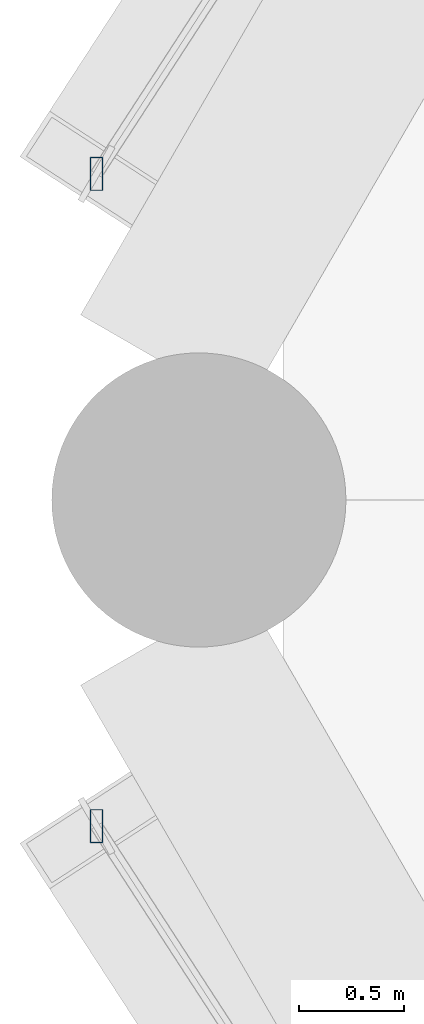
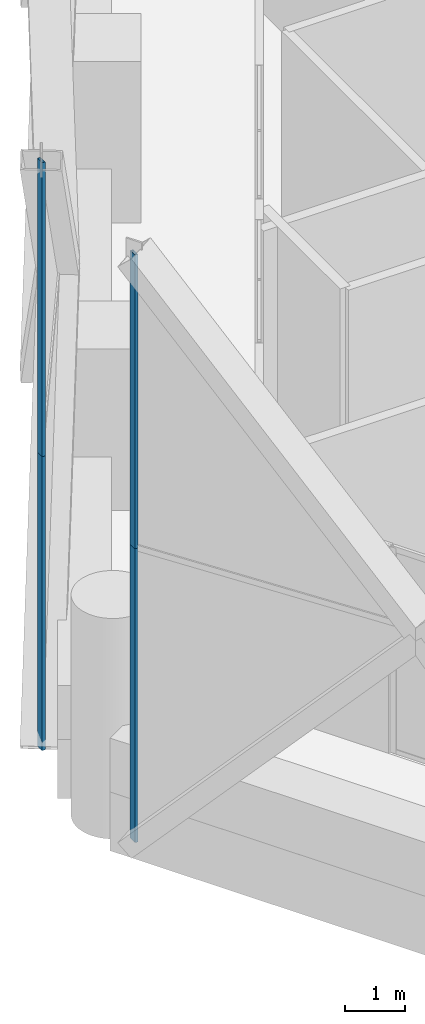
# One storey, part 12 of 46: 4 members, 2 elements without a shape of their own.
"""IFC4 building model written with IfcOpenShell, lengths in metres."""

from ifc_helpers import new_model, si_unit, direction, frame, origin, origin_2d, place, context, subcontext, project, spatial, hollow_rectangle, extrude, material, material_profile, profile_set, type_object, element, aggregate, save


model = new_model("IFC4")

# Units and contexts
model_context = context("Model", 3, precision=1e-05, world=origin(), true_north=direction((0.0, 1.0)))
body_context = subcontext(model_context, "Body", "Model", "MODEL_VIEW")
ifc_project = project(units=[si_unit("LENGTHUNIT", "METRE"), si_unit("AREAUNIT", "SQUARE_METRE"), si_unit("VOLUMEUNIT", "CUBIC_METRE"), si_unit("PLANEANGLEUNIT", "RADIAN"), si_unit("MASSUNIT", "GRAM", prefix="KILO")], contexts=[model_context])

# Site, building, storey
site_placement = place(None, origin())
site = spatial("IfcSite", under=ifc_project, at=site_placement, CompositionType="ELEMENT")
building_placement = place(site_placement, origin())
building = spatial("IfcBuilding", under=site, at=building_placement, Name="Ostrander Bayou Hotel Tower", CompositionType="ELEMENT")
storey_placement = place(building_placement, frame((0.0, 0.0, 23.5)))
storey = spatial("IfcBuildingStorey", under=building, at=storey_placement, Name="L05", CompositionType="ELEMENT", Elevation=23.5)

# Curtain wall, members
ifc_material_1 = material(Name="Aluminium and clear glass", Category="aluminium")
curtain_wall_type = type_object("IfcCurtainWallType", Name="CW-LAT lattice glazing", PredefinedType="NOTDEFINED", material=ifc_material_1)
curtain_wall_1_placement = place(storey_placement, origin())
curtain_wall_1 = element("IfcCurtainWall", 1, at=curtain_wall_1_placement, inside=storey, type_object=curtain_wall_type, Name="CW-LAT L05 NW 1", PredefinedType="NOTDEFINED")
ifc_material_2 = material(Name="Aluminium", Category="aluminium")
ifc_material_profile = material_profile(ifc_material_2, hollow_rectangle(XDim=0.06005859375, YDim=0.159912109375, WallThickness=0.00390625, at=origin_2d()))
ifc_profile_set = profile_set([ifc_material_profile], Name="Aluminium")
member_type = type_object("IfcMemberType", Name="CW-LA mullion 60 x 160 mm", PredefinedType="MULLION", material=ifc_profile_set)
member_1_placement = place(storey_placement, frame((-24.58837890625, 1.551513671875, -0.60009765625), z_axis=(0.0, 0.0, 1.0), x_axis=(1.0, 0.0, 0.0)))
member_1 = element("IfcMember", 2, at=member_1_placement, type_object=member_type, Name="CW-LAT mullion 8", PredefinedType="MULLION", context=body_context, shape_type="SweptSolid", body=[
    extrude(hollow_rectangle(XDim=0.06005859375, YDim=0.159912109375, WallThickness=0.00390625, at=origin_2d()), origin(), (0.0, 0.0, 1.0), 6.0),
])
member_2_placement = place(storey_placement, frame((-24.58837890625, 1.551513671875, 5.39990234375), z_axis=(0.0, 0.0, 1.0), x_axis=(1.0, 0.0, 0.0)))
member_2 = element("IfcMember", 3, at=member_2_placement, type_object=member_type, Name="CW-LAT mullion 9", PredefinedType="MULLION", context=body_context, shape_type="SweptSolid", body=[
    extrude(hollow_rectangle(XDim=0.06005859375, YDim=0.159912109375, WallThickness=0.00390625, at=origin_2d()), origin(), (0.0, 0.0, 1.0), 6.0),
])
aggregate(curtain_wall_1, [member_1, member_2])

curtain_wall_2_placement = place(storey_placement, origin())
curtain_wall_2 = element("IfcCurtainWall", 4, at=curtain_wall_2_placement, inside=storey, type_object=curtain_wall_type, Name="CW-LAT L05 SW 1", PredefinedType="NOTDEFINED")
member_3_placement = place(storey_placement, frame((-24.58837890625, -1.551513671875, -0.60009765625), z_axis=(0.0, 0.0, 1.0), x_axis=(1.0, 0.0, 0.0)))
member_3 = element("IfcMember", 5, at=member_3_placement, type_object=member_type, Name="CW-LAT mullion 1", PredefinedType="MULLION", context=body_context, shape_type="SweptSolid", body=[
    extrude(hollow_rectangle(XDim=0.06005859375, YDim=0.159912109375, WallThickness=0.00390625, at=origin_2d()), origin(), (0.0, 0.0, 1.0), 6.0),
])
member_4_placement = place(storey_placement, frame((-24.58837890625, -1.551513671875, 5.39990234375), z_axis=(0.0, 0.0, 1.0), x_axis=(1.0, 0.0, 0.0)))
member_4 = element("IfcMember", 6, at=member_4_placement, type_object=member_type, Name="CW-LAT mullion 2", PredefinedType="MULLION", context=body_context, shape_type="SweptSolid", body=[
    extrude(hollow_rectangle(XDim=0.06005859375, YDim=0.159912109375, WallThickness=0.00390625, at=origin_2d()), origin(), (0.0, 0.0, 1.0), 6.0),
])
aggregate(curtain_wall_2, [member_3, member_4])

save(model, "model.ifc")
